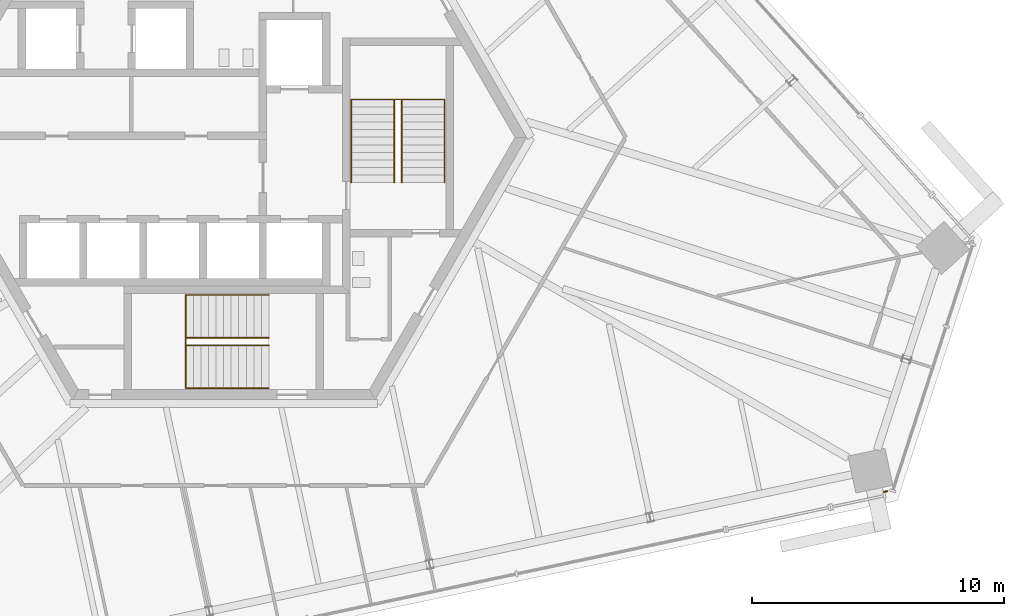
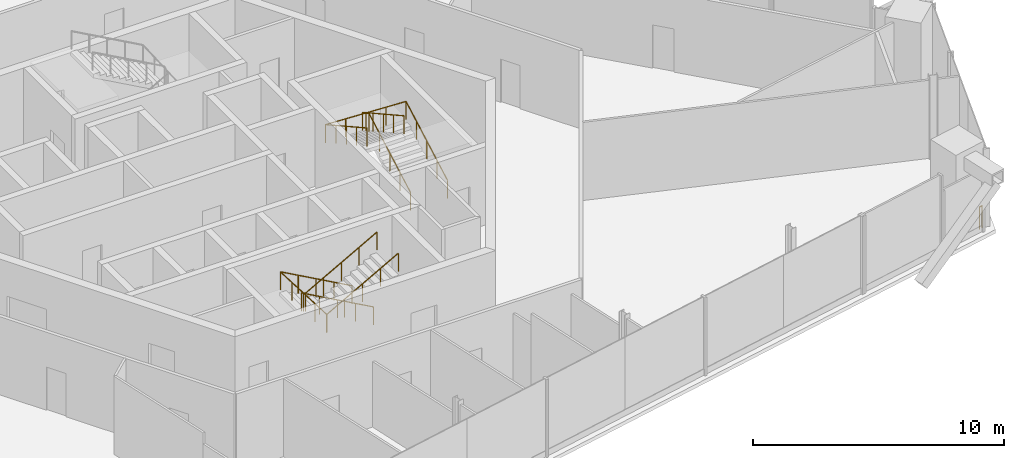
# One storey, part 14 of 16: 5 railings.
"""IFC4 building model written with IfcOpenShell, lengths in metres."""

from ifc_helpers import new_model, si_unit, direction, frame, origin, origin_2d, place, context, subcontext, project, spatial, circle, extrude, source, transform, mapped, material, type_object, element, save


model = new_model("IFC4")

# Units and contexts
model_context = context("Model", 3, precision=1e-05, world=origin(), true_north=direction((0.0, 1.0)))
body_context = subcontext(model_context, "Body", "Model", "MODEL_VIEW")
ifc_project = project(units=[si_unit("LENGTHUNIT", "METRE"), si_unit("AREAUNIT", "SQUARE_METRE"), si_unit("VOLUMEUNIT", "CUBIC_METRE"), si_unit("PLANEANGLEUNIT", "RADIAN"), si_unit("MASSUNIT", "GRAM", prefix="KILO")], contexts=[model_context])

# Site, building, storey
site_placement = place(None, origin())
site = spatial("IfcSite", under=ifc_project, at=site_placement, CompositionType="ELEMENT")
building_placement = place(site_placement, origin())
building = spatial("IfcBuilding", under=site, at=building_placement, Name="Triune Harvest Tower", CompositionType="ELEMENT")
storey_placement = place(building_placement, frame((0.0, 0.0, 292.699951171875)))
storey = spatial("IfcBuildingStorey", under=building, at=storey_placement, Name="L77", CompositionType="ELEMENT", Elevation=292.699951171875)

# Railings
ifc_material_1 = material(Name="Glass", Category="glass")
railing_type_1 = type_object("IfcRailingType", Name="GD-3 facade guard 1100", PredefinedType="GUARDRAIL", material=ifc_material_1)
railing_1_placement = place(storey_placement, frame((26.15283203125, -14.050537109375, 0.0)))
element("IfcRailing", 1, at=railing_1_placement, inside=storey, type_object=railing_type_1, Name="Facade guard B7-F5 L77.1.1", PredefinedType="GUARDRAIL", context=body_context, shape_type="SweptSolid", body=[
    extrude(circle(Radius=0.02392578125, at=origin_2d()), frame((0.0, 0.0, 1.076171875), z_axis=(0.977896464577, 0.209089704597, 0.0), x_axis=(-0.209089704597, 0.977896464577, 0.0)), (0.0, 0.0, 1.0), 0.15185546875),
    extrude(circle(Radius=0.02099609375, at=origin_2d()), origin(), (0.0, 0.0, 1.0), 1.052001953125),
    extrude(circle(Radius=0.02099609375, at=origin_2d()), frame((0.1484375, 0.03173828125, 0.0)), (0.0, 0.0, 1.0), 1.052001953125),
])
ifc_material_2 = material(Name="Stainless steel AISI 316", Category="steel")
railing_type_2 = type_object("IfcRailingType", Name="Stair handrail", PredefinedType="HANDRAIL", material=ifc_material_2)
shared_shape_1 = source(origin(), body_context, "Body", "SweptSolid", [
    extrude(circle(Radius=0.02392578125, at=origin_2d()), frame((0.0, 0.0, 0.8759765625), z_axis=(-0.874169478083, 0.0, 0.485620966999), x_axis=(0.0, -1.0, 0.0)), (0.0, 0.0, 1.0), 3.775146484375),
    extrude(circle(Radius=0.02392578125, at=origin_2d()), frame((-3.300048828125, 0.0, 2.708984375), z_axis=(0.0, -0.998985998549, 0.045021935797), x_axis=(1.0, 0.0, 0.0)), (0.0, 0.0, 1.0), 3.70361328125),
    extrude(circle(Radius=0.02392578125, at=origin_2d()), frame((-3.300048828125, -3.699951171875, 2.8759765625), z_axis=(0.874169478083, 0.0, 0.485620966999), x_axis=(0.0, 1.0, 0.0)), (0.0, 0.0, 1.0), 3.775146484375),
    extrude(circle(Radius=0.02099609375, at=origin_2d()), origin(), (0.0, 0.0, 1.0), 0.851806640625),
    extrude(circle(Radius=0.02099609375, at=origin_2d()), frame((-0.824951171875, 0.0, 0.458251953125)), (0.0, 0.0, 1.0), 0.851806640625),
    extrude(circle(Radius=0.02099609375, at=origin_2d()), frame((-1.64990234375, 0.0, 0.91650390625)), (0.0, 0.0, 1.0), 0.851806640625),
    extrude(circle(Radius=0.02099609375, at=origin_2d()), frame((-2.47509765625, 0.0, 1.375)), (0.0, 0.0, 1.0), 0.851806640625),
    extrude(circle(Radius=0.02099609375, at=origin_2d()), frame((-3.300048828125, 0.0, 1.833251953125)), (0.0, 0.0, 1.0), 0.851806640625),
    extrude(circle(Radius=0.02099609375, at=origin_2d()), frame((-3.300048828125, -0.925048828125, 1.875)), (0.0, 0.0, 1.0), 0.851806640625),
    extrude(circle(Radius=0.02099609375, at=origin_2d()), frame((-3.300048828125, -1.85009765625, 1.91650390625)), (0.0, 0.0, 1.0), 0.851806640625),
    extrude(circle(Radius=0.02099609375, at=origin_2d()), frame((-3.300048828125, -2.77490234375, 1.958251953125)), (0.0, 0.0, 1.0), 0.851806640625),
    extrude(circle(Radius=0.02099609375, at=origin_2d()), frame((-3.300048828125, -3.699951171875, 2.0)), (0.0, 0.0, 1.0), 0.851806640625),
    extrude(circle(Radius=0.02099609375, at=origin_2d()), frame((-2.47509765625, -3.699951171875, 2.458251953125)), (0.0, 0.0, 1.0), 0.851806640625),
    extrude(circle(Radius=0.02099609375, at=origin_2d()), frame((-1.64990234375, -3.699951171875, 2.91650390625)), (0.0, 0.0, 1.0), 0.851806640625),
    extrude(circle(Radius=0.02099609375, at=origin_2d()), frame((-0.824951171875, -3.699951171875, 3.375)), (0.0, 0.0, 1.0), 0.851806640625),
    extrude(circle(Radius=0.02099609375, at=origin_2d()), frame((0.0, -3.699951171875, 3.833251953125)), (0.0, 0.0, 1.0), 0.851806640625),
])
railing_2_placement = place(storey_placement, frame((1.7900390625, -6.239990234375, 0.166748046875)))
element("IfcRailing", 2, at=railing_2_placement, inside=storey, type_object=railing_type_2, Name="Exit stair south wall handrail", PredefinedType="HANDRAIL", context=body_context, shape_type="MappedRepresentation", body=[
    mapped(shared_shape_1, transform((0.0, 0.0, 0.0), scale=1.0)),
])
shared_shape_2 = source(origin(), body_context, "Body", "SweptSolid", [
    extrude(circle(Radius=0.02392578125, at=origin_2d()), frame((0.0, 0.0, 0.8759765625), z_axis=(-0.874169478083, 0.0, 0.485620966999), x_axis=(0.0, -1.0, 0.0)), (0.0, 0.0, 1.0), 3.775146484375),
    extrude(circle(Radius=0.02392578125, at=origin_2d()), frame((-3.300048828125, 0.0, 2.708984375), z_axis=(0.0, -0.874090171491, 0.485763699861), x_axis=(1.0, 0.0, 0.0)), (0.0, 0.0, 1.0), 0.34326171875),
    extrude(circle(Radius=0.02392578125, at=origin_2d()), frame((-3.300048828125, -0.300048828125, 2.8759765625), z_axis=(0.874169478083, 0.0, 0.485620966999), x_axis=(0.0, 1.0, 0.0)), (0.0, 0.0, 1.0), 3.775146484375),
    extrude(circle(Radius=0.02099609375, at=origin_2d()), origin(), (0.0, 0.0, 1.0), 0.851806640625),
    extrude(circle(Radius=0.02099609375, at=origin_2d()), frame((-0.824951171875, 0.0, 0.458251953125)), (0.0, 0.0, 1.0), 0.851806640625),
    extrude(circle(Radius=0.02099609375, at=origin_2d()), frame((-1.64990234375, 0.0, 0.91650390625)), (0.0, 0.0, 1.0), 0.851806640625),
    extrude(circle(Radius=0.02099609375, at=origin_2d()), frame((-2.47509765625, 0.0, 1.375)), (0.0, 0.0, 1.0), 0.851806640625),
    extrude(circle(Radius=0.02099609375, at=origin_2d()), frame((-3.300048828125, 0.0, 1.833251953125)), (0.0, 0.0, 1.0), 0.851806640625),
    extrude(circle(Radius=0.02099609375, at=origin_2d()), frame((-3.300048828125, -0.300048828125, 2.0)), (0.0, 0.0, 1.0), 0.851806640625),
    extrude(circle(Radius=0.02099609375, at=origin_2d()), frame((-2.47509765625, -0.300048828125, 2.458251953125)), (0.0, 0.0, 1.0), 0.851806640625),
    extrude(circle(Radius=0.02099609375, at=origin_2d()), frame((-1.64990234375, -0.300048828125, 2.91650390625)), (0.0, 0.0, 1.0), 0.851806640625),
    extrude(circle(Radius=0.02099609375, at=origin_2d()), frame((-0.824951171875, -0.300048828125, 3.375)), (0.0, 0.0, 1.0), 0.851806640625),
    extrude(circle(Radius=0.02099609375, at=origin_2d()), frame((0.0, -0.300048828125, 3.833251953125)), (0.0, 0.0, 1.0), 0.851806640625),
])
railing_3_placement = place(storey_placement, frame((1.7900390625, -7.93994140625, 0.166748046875)))
element("IfcRailing", 3, at=railing_3_placement, inside=storey, type_object=railing_type_2, Name="Exit stair south centre handrail", PredefinedType="HANDRAIL", context=body_context, shape_type="MappedRepresentation", body=[
    mapped(shared_shape_2, transform((0.0, 0.0, 0.0), scale=1.0)),
])
shared_shape_3 = source(origin(), body_context, "Body", "SweptSolid", [
    extrude(circle(Radius=0.02392578125, at=origin_2d()), frame((0.0, 0.0, 0.8759765625), z_axis=(0.0, 0.874169478083, 0.485620966999), x_axis=(-1.0, 0.0, 0.0)), (0.0, 0.0, 1.0), 3.775146484375),
    extrude(circle(Radius=0.02392578125, at=origin_2d()), frame((0.0, 3.300048828125, 2.708984375), z_axis=(-0.998985998549, 0.0, 0.045021935797), x_axis=(0.0, -1.0, 0.0)), (0.0, 0.0, 1.0), 3.70361328125),
    extrude(circle(Radius=0.02392578125, at=origin_2d()), frame((-3.699951171875, 3.300048828125, 2.8759765625), z_axis=(0.0, -0.874169478083, 0.485620966999), x_axis=(1.0, 0.0, 0.0)), (0.0, 0.0, 1.0), 3.775146484375),
    extrude(circle(Radius=0.02099609375, at=origin_2d()), origin(), (0.0, 0.0, 1.0), 0.851806640625),
    extrude(circle(Radius=0.02099609375, at=origin_2d()), frame((0.0, 0.824951171875, 0.458251953125)), (0.0, 0.0, 1.0), 0.851806640625),
    extrude(circle(Radius=0.02099609375, at=origin_2d()), frame((0.0, 1.64990234375, 0.91650390625)), (0.0, 0.0, 1.0), 0.851806640625),
    extrude(circle(Radius=0.02099609375, at=origin_2d()), frame((0.0, 2.47509765625, 1.375)), (0.0, 0.0, 1.0), 0.851806640625),
    extrude(circle(Radius=0.02099609375, at=origin_2d()), frame((0.0, 3.300048828125, 1.833251953125)), (0.0, 0.0, 1.0), 0.851806640625),
    extrude(circle(Radius=0.02099609375, at=origin_2d()), frame((-0.925048828125, 3.300048828125, 1.875)), (0.0, 0.0, 1.0), 0.851806640625),
    extrude(circle(Radius=0.02099609375, at=origin_2d()), frame((-1.85009765625, 3.300048828125, 1.91650390625)), (0.0, 0.0, 1.0), 0.851806640625),
    extrude(circle(Radius=0.02099609375, at=origin_2d()), frame((-2.77490234375, 3.300048828125, 1.958251953125)), (0.0, 0.0, 1.0), 0.851806640625),
    extrude(circle(Radius=0.02099609375, at=origin_2d()), frame((-3.699951171875, 3.300048828125, 2.0)), (0.0, 0.0, 1.0), 0.851806640625),
    extrude(circle(Radius=0.02099609375, at=origin_2d()), frame((-3.699951171875, 2.47509765625, 2.458251953125)), (0.0, 0.0, 1.0), 0.851806640625),
    extrude(circle(Radius=0.02099609375, at=origin_2d()), frame((-3.699951171875, 1.64990234375, 2.91650390625)), (0.0, 0.0, 1.0), 0.851806640625),
    extrude(circle(Radius=0.02099609375, at=origin_2d()), frame((-3.699951171875, 0.824951171875, 3.375)), (0.0, 0.0, 1.0), 0.851806640625),
    extrude(circle(Radius=0.02099609375, at=origin_2d()), frame((-3.699951171875, 0.0, 3.833251953125)), (0.0, 0.0, 1.0), 0.851806640625),
])
railing_4_placement = place(storey_placement, frame((8.75, -1.7900390625, 0.166748046875)))
element("IfcRailing", 4, at=railing_4_placement, inside=storey, type_object=railing_type_2, Name="Exit stair east wall handrail", PredefinedType="HANDRAIL", context=body_context, shape_type="MappedRepresentation", body=[
    mapped(shared_shape_3, transform((0.0, 0.0, 0.0), scale=1.0)),
])
shared_shape_4 = source(origin(), body_context, "Body", "SweptSolid", [
    extrude(circle(Radius=0.02392578125, at=origin_2d()), frame((0.0, 0.0, 0.8759765625), z_axis=(0.0, 0.874169478083, 0.485620966999), x_axis=(-1.0, 0.0, 0.0)), (0.0, 0.0, 1.0), 3.775146484375),
    extrude(circle(Radius=0.02392578125, at=origin_2d()), frame((0.0, 3.300048828125, 2.708984375), z_axis=(-0.874090171491, 0.0, 0.485763699861), x_axis=(0.0, -1.0, 0.0)), (0.0, 0.0, 1.0), 0.34326171875),
    extrude(circle(Radius=0.02392578125, at=origin_2d()), frame((-0.300048828125, 3.300048828125, 2.8759765625), z_axis=(0.0, -0.874169478083, 0.485620966999), x_axis=(1.0, 0.0, 0.0)), (0.0, 0.0, 1.0), 3.775146484375),
    extrude(circle(Radius=0.02099609375, at=origin_2d()), origin(), (0.0, 0.0, 1.0), 0.851806640625),
    extrude(circle(Radius=0.02099609375, at=origin_2d()), frame((0.0, 0.824951171875, 0.458251953125)), (0.0, 0.0, 1.0), 0.851806640625),
    extrude(circle(Radius=0.02099609375, at=origin_2d()), frame((0.0, 1.64990234375, 0.91650390625)), (0.0, 0.0, 1.0), 0.851806640625),
    extrude(circle(Radius=0.02099609375, at=origin_2d()), frame((0.0, 2.47509765625, 1.375)), (0.0, 0.0, 1.0), 0.851806640625),
    extrude(circle(Radius=0.02099609375, at=origin_2d()), frame((0.0, 3.300048828125, 1.833251953125)), (0.0, 0.0, 1.0), 0.851806640625),
    extrude(circle(Radius=0.02099609375, at=origin_2d()), frame((-0.300048828125, 3.300048828125, 2.0)), (0.0, 0.0, 1.0), 0.851806640625),
    extrude(circle(Radius=0.02099609375, at=origin_2d()), frame((-0.300048828125, 2.47509765625, 2.458251953125)), (0.0, 0.0, 1.0), 0.851806640625),
    extrude(circle(Radius=0.02099609375, at=origin_2d()), frame((-0.300048828125, 1.64990234375, 2.91650390625)), (0.0, 0.0, 1.0), 0.851806640625),
    extrude(circle(Radius=0.02099609375, at=origin_2d()), frame((-0.300048828125, 0.824951171875, 3.375)), (0.0, 0.0, 1.0), 0.851806640625),
    extrude(circle(Radius=0.02099609375, at=origin_2d()), frame((-0.300048828125, 0.0, 3.833251953125)), (0.0, 0.0, 1.0), 0.851806640625),
])
railing_5_placement = place(storey_placement, frame((7.050048828125, -1.7900390625, 0.166748046875)))
element("IfcRailing", 5, at=railing_5_placement, inside=storey, type_object=railing_type_2, Name="Exit stair east centre handrail", PredefinedType="HANDRAIL", context=body_context, shape_type="MappedRepresentation", body=[
    mapped(shared_shape_4, transform((0.0, 0.0, 0.0), scale=1.0)),
])

save(model, "model.ifc")
